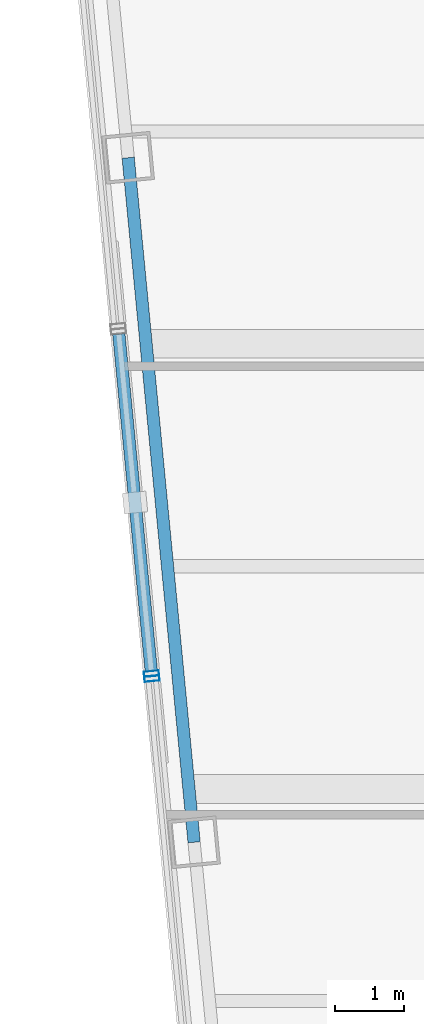
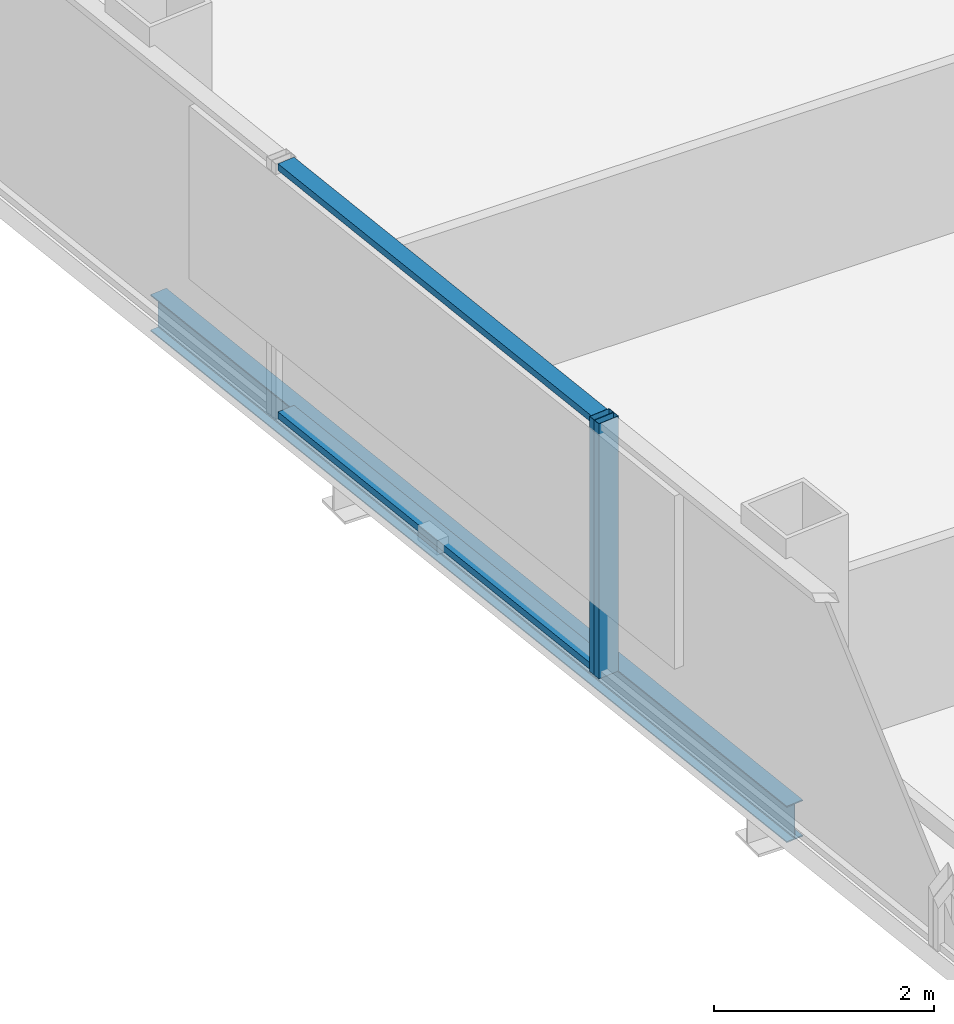
# One storey, part 8 of 29: 4 members, 1 beam, 2 elements without a shape of their own.
"""IFC4 building model written with IfcOpenShell, lengths in metres."""

from ifc_helpers import new_model, si_unit, direction, frame, origin, origin_2d, place, context, subcontext, project, spatial, hollow_rectangle, i_section, extrude, material, layer, layer_set, material_profile, profile_set, type_object, element, aggregate, save


model = new_model("IFC4")

# Units and contexts
model_context = context("Model", 3, precision=1e-05, world=origin(), true_north=direction((0.0, 1.0)))
body_context = subcontext(model_context, "Body", "Model", "MODEL_VIEW")
ifc_project = project(units=[si_unit("LENGTHUNIT", "METRE"), si_unit("AREAUNIT", "SQUARE_METRE"), si_unit("VOLUMEUNIT", "CUBIC_METRE"), si_unit("PLANEANGLEUNIT", "RADIAN"), si_unit("MASSUNIT", "GRAM", prefix="KILO")], contexts=[model_context])

# Site, building, storey
site_placement = place(None, origin())
site = spatial("IfcSite", under=ifc_project, at=site_placement, CompositionType="ELEMENT")
building_placement = place(site_placement, origin())
building = spatial("IfcBuilding", under=site, at=building_placement, Name="Qhalaya Broadcast Tower", CompositionType="ELEMENT")
storey_placement = place(building_placement, frame((0.0, 0.0, 177.5)))
storey = spatial("IfcBuildingStorey", under=building, at=storey_placement, Name="L52", CompositionType="ELEMENT", Elevation=177.5)

# Curtain wall, member
ifc_material_1 = material(Name="Fired Architectural Terracotta", Category="masonry")
ifc_layer_1 = layer(ifc_material_1, 0.219970703125, Name="Fired Architectural Terracotta")
ifc_layer_set_1 = layer_set([ifc_layer_1], Name="Fired Architectural Terracotta")
curtain_wall_type_1 = type_object("IfcCurtainWallType", Name="Block-Cap Unitised Terracotta Spandrel Wall CW-07", PredefinedType="NOTDEFINED", material=ifc_layer_set_1)
curtain_wall_1_placement = place(storey_placement, origin())
curtain_wall_1 = element("IfcCurtainWall", 1, at=curtain_wall_1_placement, inside=storey, type_object=curtain_wall_type_1, Name="L52 Unitised Curtain Wall L52-CW-W4", PredefinedType="NOTDEFINED")
ifc_material_2 = material(Name="Anodised Aluminium 6063-T6", Category="aluminium")
ifc_material_profile_1 = material_profile(ifc_material_2, hollow_rectangle(XDim=0.074951171875, YDim=0.219970703125, WallThickness=0.00390625, at=origin_2d()), Name="ALU-MUL 75x220x4")
ifc_profile_set_1 = profile_set([ifc_material_profile_1], Name="Anodised Aluminium 6063-T6")
member_type_1 = type_object("IfcMemberType", Name="Unitised Curtain-Wall Mullion M01", PredefinedType="MULLION", material=ifc_profile_set_1)
member_1_placement = place(storey_placement, frame((-24.234375, -0.95458984375, 0.0), z_axis=(0.0, 0.0, 1.0), x_axis=(0.095846949325, -0.995396083127, 0.0)))
member_1 = element("IfcMember", 2, at=member_1_placement, type_object=member_type_1, Name="CW-07 mullion 2", PredefinedType="MULLION", context=body_context, shape_type="SweptSolid", body=[
    extrude(hollow_rectangle(XDim=0.074951171875, YDim=0.219970703125, WallThickness=0.00390625, at=origin_2d()), origin(), (0.0, 0.0, 1.0), 2.830078125),
])

ifc_material_3 = material(Name="Solar-Control Low-E Triple Glazing", Category="glass")
ifc_layer_2 = layer(ifc_material_3, 0.219970703125, Name="Solar-Control Low-E Triple Glazing")
ifc_layer_set_2 = layer_set([ifc_layer_2], Name="Solar-Control Low-E Triple Glazing")
curtain_wall_type_2 = type_object("IfcCurtainWallType", Name="Even-Block 4-Storey Double-Module Curtain Wall CW-03", PredefinedType="NOTDEFINED", material=ifc_layer_set_2)
curtain_wall_2_placement = place(storey_placement, origin())
curtain_wall_2 = element("IfcCurtainWall", 3, at=curtain_wall_2_placement, inside=storey, type_object=curtain_wall_type_2, Name="L52 Unitised Curtain Wall L52-CW-W5", PredefinedType="NOTDEFINED")
member_2_placement = place(storey_placement, frame((-24.227294921875, -1.029296875, 0.0), z_axis=(0.0, 0.0, 1.0), x_axis=(0.095837976406, -0.995396947091, 0.0)))
member_2 = element("IfcMember", 4, at=member_2_placement, type_object=member_type_1, Name="CW-03 mullion 1", PredefinedType="MULLION", context=body_context, shape_type="SweptSolid", body=[
    extrude(hollow_rectangle(XDim=0.074951171875, YDim=0.219970703125, WallThickness=0.00390625, at=origin_2d()), origin(), (0.0, 0.0, 1.0), 2.830078125),
])
aggregate(curtain_wall_2, [member_2])

# Member
ifc_material_profile_2 = material_profile(ifc_material_2, hollow_rectangle(XDim=0.074951171875, YDim=0.179931640625, WallThickness=0.00390625, at=origin_2d()), Name="ALU-TRN 75x180x4")
ifc_profile_set_2 = profile_set([ifc_material_profile_2], Name="Anodised Aluminium 6063-T6")
member_type_2 = type_object("IfcMemberType", Name="Unitised Curtain-Wall Transom T01", PredefinedType="USERDEFINED", material=ifc_profile_set_2)
member_3_placement = place(storey_placement, frame((-24.708251953125, 3.966064453125, 0.03759765625), z_axis=(0.0958470571, -0.99539607275, 0.0), x_axis=(0.0, 0.0, 1.0)))
member_3 = element("IfcMember", 5, at=member_3_placement, type_object=member_type_2, Name="CW-07 transom 1.1", ObjectType="TRANSOM", PredefinedType="USERDEFINED", context=body_context, shape_type="SweptSolid", body=[
    extrude(hollow_rectangle(XDim=0.074951171875, YDim=0.179931640625, WallThickness=0.00390625, at=origin_2d()), origin(), (0.0, 0.0, 1.0), 4.906005859375),
])

member_4_placement = place(storey_placement, frame((-24.708251953125, 3.966064453125, 2.79248046875), z_axis=(0.0958470571, -0.99539607275, 0.0), x_axis=(0.0, 0.0, 1.0)))
member_4 = element("IfcMember", 6, at=member_4_placement, type_object=member_type_2, Name="CW-07 transom 1.2", ObjectType="TRANSOM", PredefinedType="USERDEFINED", context=body_context, shape_type="SweptSolid", body=[
    extrude(hollow_rectangle(XDim=0.074951171875, YDim=0.179931640625, WallThickness=0.00390625, at=origin_2d()), origin(), (0.0, 0.0, 1.0), 4.906005859375),
])

aggregate(curtain_wall_1, [member_1, member_3, member_4])

# Beam
ifc_material_4 = material(Name="Structural Steel ASTM A992 Grade 50", Category="steel")
ifc_material_profile_3 = material_profile(ifc_material_4, i_section(OverallWidth=0.177978515625, OverallDepth=0.406005859375, WebThickness=0.0078125, FlangeThickness=0.0126953125, at=origin_2d()), Name="W16X40")
ifc_profile_set_3 = profile_set([ifc_material_profile_3], Name="Structural Steel ASTM A992 Grade 50")
beam_type = type_object("IfcBeamType", Name="Upper Perimeter Spandrel Beam SP2", PredefinedType="SPANDREL", material=ifc_profile_set_3)
beam_placement = place(storey_placement, frame((-24.572509765625, 6.521240234375, -0.423095703125), z_axis=(0.095850563819, -0.99539573508, 0.0), x_axis=(0.99539573508, 0.095850563819, 0.0)))
element("IfcBeam", 7, at=beam_placement, inside=storey, type_object=beam_type, Name="L52 SP2 L52-SPR-14", PredefinedType="SPANDREL", context=body_context, shape_type="SweptSolid", body=[
    extrude(i_section(OverallWidth=0.177978515625, OverallDepth=0.406005859375, WebThickness=0.0078125, FlangeThickness=0.0126953125, at=origin_2d()), origin(), (0.0, 0.0, 1.0), 9.966796875),
])

save(model, "model.ifc")
